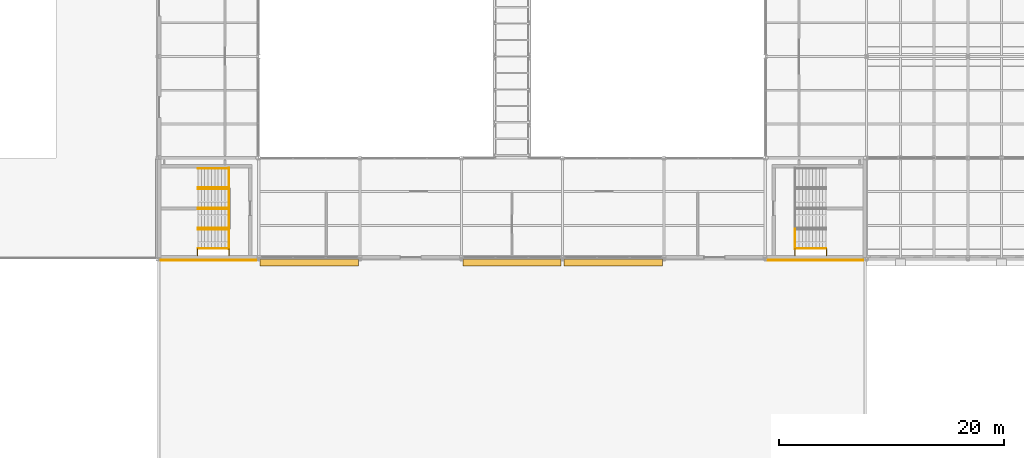
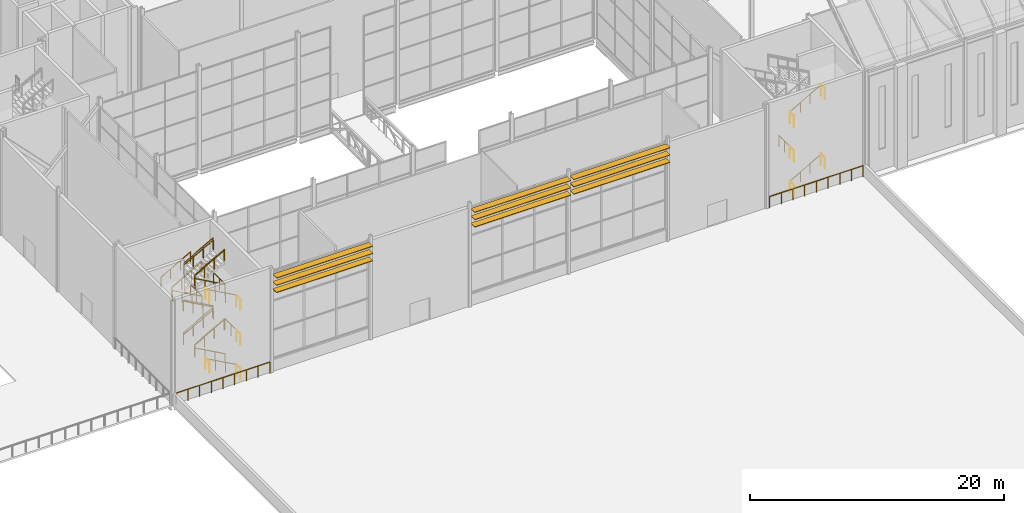
# One storey, part 105 of 111: 36 railings, 9 shading devices.
"""IFC4 building model written with IfcOpenShell, lengths in metres."""

from ifc_helpers import new_model, si_unit, direction, frame, origin, origin_2d, place, context, subcontext, project, spatial, rectangle, circle, extrude, material, layer, layer_set, type_object, element, save


model = new_model("IFC4")

# Units and contexts
model_context = context("Model", 3, precision=1e-05, world=origin(), true_north=direction((0.0, 1.0)))
body_context = subcontext(model_context, "Body", "Model", "MODEL_VIEW")
ifc_project = project(units=[si_unit("LENGTHUNIT", "METRE"), si_unit("AREAUNIT", "SQUARE_METRE"), si_unit("VOLUMEUNIT", "CUBIC_METRE"), si_unit("PLANEANGLEUNIT", "RADIAN"), si_unit("MASSUNIT", "GRAM", prefix="KILO")], contexts=[model_context])

# Site, building, storey
site_placement = place(None, origin())
site = spatial("IfcSite", under=ifc_project, at=site_placement, CompositionType="ELEMENT")
building_placement = place(site_placement, origin())
building = spatial("IfcBuilding", under=site, at=building_placement, Name="Shorebreak Coast Museum", CompositionType="ELEMENT")
storey_placement = place(building_placement, frame((0.0, 0.0, 16.0)))
storey = spatial("IfcBuildingStorey", under=building, at=storey_placement, Name="L03", CompositionType="ELEMENT", Elevation=16.0)

# Shading devices
ifc_material_1 = material(Name="Aluminium", Category="aluminium")
ifc_layer = layer(ifc_material_1, 0.06005859375)
ifc_layer_set = layer_set([ifc_layer], Name="Aluminium")
shading_device_type = type_object("IfcShadingDeviceType", Name="Aluminium louvre blade 60 x 600", PredefinedType="USERDEFINED", material=ifc_layer_set)
for number, where, z_axis, x_axis, name in (
    (1, (67.5, 53.699951171875, 9.29296875), (0.0, 0.0, 1.0), (1.0, 0.0, 0.0), "Aluminium louvre L03 S1"),
    (2, (67.5, 53.699951171875, 8.593017578125), (0.0, 0.0, 1.0), (1.0, 0.0, 0.0), "Aluminium louvre L03 S2"),
    (3, (67.5, 53.699951171875, 7.89306640625), (0.0, 0.0, 1.0), (1.0, 0.0, 0.0), "Aluminium louvre L03 S3"),
    (4, (85.5, 53.699951171875, 9.29296875), (0.0, 0.0, 1.0), (1.0, 0.0, 0.0), "Aluminium louvre L03 S4"),
    (5, (85.5, 53.699951171875, 8.593017578125), (0.0, 0.0, 1.0), (1.0, 0.0, 0.0), "Aluminium louvre L03 S5"),
    (6, (85.5, 53.699951171875, 7.89306640625), (0.0, 0.0, 1.0), (1.0, 0.0, 0.0), "Aluminium louvre L03 S6"),
    (7, (94.5, 53.699951171875, 9.29296875), (0.0, 0.0, 1.0), (1.0, 0.0, 0.0), "Aluminium louvre L03 S7"),
    (8, (94.5, 53.699951171875, 8.593017578125), (0.0, 0.0, 1.0), (1.0, 0.0, 0.0), "Aluminium louvre L03 S8"),
    (9, (94.5, 53.699951171875, 7.89306640625), (0.0, 0.0, 1.0), (1.0, 0.0, 0.0), "Aluminium louvre L03 S9"),
):
    element("IfcShadingDevice", number, at=place(storey_placement, frame(where, z_axis=z_axis, x_axis=x_axis)), inside=storey, type_object=shading_device_type, Name=name, ObjectType="LOUVRE", PredefinedType="USERDEFINED", context=body_context, shape_type="SweptSolid", body=[
        extrude(rectangle(XDim=8.75, YDim=0.60009765625, at=origin_2d()), origin(), (0.0, 0.0, 1.0), 0.06005859375),
    ])

# Railings
ifc_material_2 = material(Name="Roof garden guard 1100")
railing_type_1 = type_object("IfcRailingType", Name="Roof garden guard 1100", PredefinedType="GUARDRAIL", material=ifc_material_2)
for number, where, name in (
    (10, (108.199951171875, 53.89990234375, 0.0), "Roof garden guard SDECK 2"),
    (11, (54.300048828125, 53.89990234375, 0.0), "Roof garden guard SDECK 3"),
):
    element("IfcRailing", number, at=place(storey_placement, frame(where)), inside=storey, type_object=railing_type_1, Name=name, PredefinedType="GUARDRAIL", context=body_context, shape_type="SweptSolid", body=[
        extrude(circle(Radius=0.02490234375, at=origin_2d()), frame((0.0, 0.0, 1.0751953125), z_axis=(1.0, 0.0, 0.0), x_axis=(0.0, 1.0, 0.0)), (0.0, 0.0, 1.0), 8.5),
        extrude(circle(Radius=0.02001953125, at=origin_2d()), origin(), (0.0, 0.0, 1.0), 1.050048828125),
        extrude(circle(Radius=0.02001953125, at=origin_2d()), frame((1.0625, 0.0, 0.0)), (0.0, 0.0, 1.0), 1.050048828125),
        extrude(circle(Radius=0.02001953125, at=origin_2d()), frame((2.125, 0.0, 0.0)), (0.0, 0.0, 1.0), 1.050048828125),
        extrude(circle(Radius=0.02001953125, at=origin_2d()), frame((3.1875, 0.0, 0.0)), (0.0, 0.0, 1.0), 1.050048828125),
        extrude(circle(Radius=0.02001953125, at=origin_2d()), frame((4.25, 0.0, 0.0)), (0.0, 0.0, 1.0), 1.050048828125),
        extrude(circle(Radius=0.02001953125, at=origin_2d()), frame((5.3125, 0.0, 0.0)), (0.0, 0.0, 1.0), 1.050048828125),
        extrude(circle(Radius=0.02001953125, at=origin_2d()), frame((6.375, 0.0, 0.0)), (0.0, 0.0, 1.0), 1.050048828125),
        extrude(circle(Radius=0.02001953125, at=origin_2d()), frame((7.4375, 0.0, 0.0)), (0.0, 0.0, 1.0), 1.050048828125),
        extrude(circle(Radius=0.02001953125, at=origin_2d()), frame((8.5, 0.0, 0.0)), (0.0, 0.0, 1.0), 1.050048828125),
    ])
ifc_material_3 = material(Name="Steel Grade 300", Category="steel")
railing_type_2 = type_object("IfcRailingType", Name="Stair guard 1100", PredefinedType="GUARDRAIL", material=ifc_material_3)
for number, where, name in (
    (12, (60.35009765625, 54.89990234375, 3.333251953125), "Guard ST01 L03 landing mid1"),
    (13, (60.35009765625, 60.300048828125, 3.333251953125), "Guard ST01 L03 landing mid1"),
):
    element("IfcRailing", number, at=place(storey_placement, frame(where)), inside=storey, type_object=railing_type_2, Name=name, PredefinedType="GUARDRAIL", context=body_context, shape_type="SweptSolid", body=[
        extrude(circle(Radius=0.02490234375, at=origin_2d()), frame((0.0, 0.0, 1.0751953125), z_axis=(0.0, 1.0, 0.0), x_axis=(-1.0, 0.0, 0.0)), (0.0, 0.0, 1.0), 1.800048828125),
        extrude(circle(Radius=0.02001953125, at=origin_2d()), origin(), (0.0, 0.0, 1.0), 1.050048828125),
        extrude(circle(Radius=0.02001953125, at=origin_2d()), frame((0.0, 0.89990234375, 0.0)), (0.0, 0.0, 1.0), 1.050048828125),
        extrude(circle(Radius=0.02001953125, at=origin_2d()), frame((0.0, 1.800048828125, 0.0)), (0.0, 0.0, 1.0), 1.050048828125),
    ])
railing_1_placement = place(storey_placement, frame((60.35009765625, 56.699951171875, 6.666748046875)))
element("IfcRailing", 14, at=railing_1_placement, inside=storey, type_object=railing_type_2, Name="Guard ST01 L03 landing mid2", PredefinedType="GUARDRAIL", context=body_context, shape_type="SweptSolid", body=[
    extrude(circle(Radius=0.02490234375, at=origin_2d()), frame((0.0, 0.0, 1.0751953125), z_axis=(0.0, 1.0, 0.0), x_axis=(-1.0, 0.0, 0.0)), (0.0, 0.0, 1.0), 3.60009765625),
    extrude(circle(Radius=0.02001953125, at=origin_2d()), origin(), (0.0, 0.0, 1.0), 1.050048828125),
    extrude(circle(Radius=0.02001953125, at=origin_2d()), frame((0.0, 0.89990234375, 0.0)), (0.0, 0.0, 1.0), 1.050048828125),
    extrude(circle(Radius=0.02001953125, at=origin_2d()), frame((0.0, 1.800048828125, 0.0)), (0.0, 0.0, 1.0), 1.050048828125),
    extrude(circle(Radius=0.02001953125, at=origin_2d()), frame((0.0, 2.7001953125, 0.0)), (0.0, 0.0, 1.0), 1.050048828125),
    extrude(circle(Radius=0.02001953125, at=origin_2d()), frame((0.0, 3.60009765625, 0.0)), (0.0, 0.0, 1.0), 1.050048828125),
])
for number, where, name in (
    (15, (60.35009765625, 54.300048828125, 0.0), "Guard ST01 L03 landing strip"),
    (16, (60.35009765625, 54.300048828125, 3.333251953125), "Guard ST01 L03 landing strip"),
    (17, (60.35009765625, 54.300048828125, 6.666748046875), "Guard ST01 L03 landing strip"),
    (18, (57.550048828125, 54.300048828125, 1.666748046875), "Guard ST01 L03 landing strip"),
    (19, (57.550048828125, 54.300048828125, 8.333251953125), "Guard ST01 L03 landing strip"),
):
    element("IfcRailing", number, at=place(storey_placement, frame(where)), inside=storey, type_object=railing_type_2, Name=name, PredefinedType="GUARDRAIL", context=body_context, shape_type="SweptSolid", body=[
        extrude(circle(Radius=0.02490234375, at=origin_2d()), frame((0.0, 0.0, 1.0751953125), z_axis=(0.0, 1.0, 0.0), x_axis=(-1.0, 0.0, 0.0)), (0.0, 0.0, 1.0), 0.599853515625),
        extrude(circle(Radius=0.02001953125, at=origin_2d()), origin(), (0.0, 0.0, 1.0), 1.050048828125),
        extrude(circle(Radius=0.02001953125, at=origin_2d()), frame((0.0, 0.599853515625, 0.0)), (0.0, 0.0, 1.0), 1.050048828125),
    ])
for number, where, name in (
    (20, (57.60009765625, 56.699951171875, 1.833251953125), "Guard ST01-L03 well 1"),
    (21, (57.60009765625, 60.300048828125, 5.166748046875), "Guard ST01-L03 well 2"),
    (22, (57.60009765625, 56.699951171875, 8.5), "Guard ST01-L03 well 3"),
    (23, (57.60009765625, 58.5, 1.833251953125), "Guard ST01-L03 side 1"),
):
    element("IfcRailing", number, at=place(storey_placement, frame(where)), inside=storey, type_object=railing_type_2, Name=name, PredefinedType="GUARDRAIL", context=body_context, shape_type="SweptSolid", body=[
        extrude(circle(Radius=0.02490234375, at=origin_2d()), frame((0.0, 0.0, 1.0751953125), z_axis=(0.87415354758, 0.0, 0.485649642493), x_axis=(0.0, 1.0, 0.0)), (0.0, 0.0, 1.0), 3.088623046875),
        extrude(circle(Radius=0.02001953125, at=origin_2d()), origin(), (0.0, 0.0, 1.0), 1.050048828125),
        extrude(circle(Radius=0.02001953125, at=origin_2d()), frame((0.89990234375, 0.0, 0.5)), (0.0, 0.0, 1.0), 1.050048828125),
        extrude(circle(Radius=0.02001953125, at=origin_2d()), frame((1.800048828125, 0.0, 1.0)), (0.0, 0.0, 1.0), 1.050048828125),
        extrude(circle(Radius=0.02001953125, at=origin_2d()), frame((2.699951171875, 0.0, 1.5)), (0.0, 0.0, 1.0), 1.050048828125),
    ])
railing_2_placement = place(storey_placement, frame((60.300048828125, 58.5, 3.5)))
element("IfcRailing", 24, at=railing_2_placement, inside=storey, type_object=railing_type_2, Name="Guard ST01-L03 side 2", PredefinedType="GUARDRAIL", context=body_context, shape_type="SweptSolid", body=[
    extrude(circle(Radius=0.02490234375, at=origin_2d()), frame((0.0, 0.0, 1.0751953125), z_axis=(-0.87415354758, 0.0, 0.485649642493), x_axis=(0.0, -1.0, 0.0)), (0.0, 0.0, 1.0), 3.088623046875),
    extrude(circle(Radius=0.02001953125, at=origin_2d()), origin(), (0.0, 0.0, 1.0), 1.050048828125),
    extrude(circle(Radius=0.02001953125, at=origin_2d()), frame((-0.89990234375, 0.0, 0.5)), (0.0, 0.0, 1.0), 1.050048828125),
    extrude(circle(Radius=0.02001953125, at=origin_2d()), frame((-1.800048828125, 0.0, 1.0)), (0.0, 0.0, 1.0), 1.050048828125),
    extrude(circle(Radius=0.02001953125, at=origin_2d()), frame((-2.699951171875, 0.0, 1.5)), (0.0, 0.0, 1.0), 1.050048828125),
])
railing_3_placement = place(storey_placement, frame((57.60009765625, 58.5, 8.5)))
element("IfcRailing", 25, at=railing_3_placement, inside=storey, type_object=railing_type_2, Name="Guard ST01-L03 side 3", PredefinedType="GUARDRAIL", context=body_context, shape_type="SweptSolid", body=[
    extrude(circle(Radius=0.02490234375, at=origin_2d()), frame((0.0, 0.0, 1.0751953125), z_axis=(0.87415354758, 0.0, 0.485649642493), x_axis=(0.0, 1.0, 0.0)), (0.0, 0.0, 1.0), 3.088623046875),
    extrude(circle(Radius=0.02001953125, at=origin_2d()), origin(), (0.0, 0.0, 1.0), 1.050048828125),
    extrude(circle(Radius=0.02001953125, at=origin_2d()), frame((0.89990234375, 0.0, 0.5)), (0.0, 0.0, 1.0), 1.050048828125),
    extrude(circle(Radius=0.02001953125, at=origin_2d()), frame((1.800048828125, 0.0, 1.0)), (0.0, 0.0, 1.0), 1.050048828125),
    extrude(circle(Radius=0.02001953125, at=origin_2d()), frame((2.699951171875, 0.0, 1.5)), (0.0, 0.0, 1.0), 1.050048828125),
])
railing_4_placement = place(storey_placement, frame((110.64990234375, 54.89990234375, 3.333251953125)))
element("IfcRailing", 26, at=railing_4_placement, inside=storey, type_object=railing_type_2, Name="Guard ST02 L03 landing mid1", PredefinedType="GUARDRAIL", context=body_context, shape_type="SweptSolid", body=[
    extrude(circle(Radius=0.02490234375, at=origin_2d()), frame((0.0, 0.0, 1.0751953125), z_axis=(0.0, 1.0, 0.0), x_axis=(-1.0, 0.0, 0.0)), (0.0, 0.0, 1.0), 1.800048828125),
    extrude(circle(Radius=0.02001953125, at=origin_2d()), origin(), (0.0, 0.0, 1.0), 1.050048828125),
    extrude(circle(Radius=0.02001953125, at=origin_2d()), frame((0.0, 0.89990234375, 0.0)), (0.0, 0.0, 1.0), 1.050048828125),
    extrude(circle(Radius=0.02001953125, at=origin_2d()), frame((0.0, 1.800048828125, 0.0)), (0.0, 0.0, 1.0), 1.050048828125),
])
for number, where, name in (
    (27, (110.64990234375, 54.300048828125, 0.0), "Guard ST02 L03 landing strip"),
    (28, (110.64990234375, 54.300048828125, 3.333251953125), "Guard ST02 L03 landing strip"),
    (29, (110.64990234375, 54.300048828125, 6.666748046875), "Guard ST02 L03 landing strip"),
    (30, (113.449951171875, 54.300048828125, 1.666748046875), "Guard ST02 L03 landing strip"),
    (31, (113.449951171875, 54.300048828125, 8.333251953125), "Guard ST02 L03 landing strip"),
):
    element("IfcRailing", number, at=place(storey_placement, frame(where)), inside=storey, type_object=railing_type_2, Name=name, PredefinedType="GUARDRAIL", context=body_context, shape_type="SweptSolid", body=[
        extrude(circle(Radius=0.02490234375, at=origin_2d()), frame((0.0, 0.0, 1.0751953125), z_axis=(0.0, 1.0, 0.0), x_axis=(-1.0, 0.0, 0.0)), (0.0, 0.0, 1.0), 0.599853515625),
        extrude(circle(Radius=0.02001953125, at=origin_2d()), origin(), (0.0, 0.0, 1.0), 1.050048828125),
        extrude(circle(Radius=0.02001953125, at=origin_2d()), frame((0.0, 0.599853515625, 0.0)), (0.0, 0.0, 1.0), 1.050048828125),
    ])
ifc_material_4 = material(Name="Steel Grade 300", Category="steel")
railing_type_3 = type_object("IfcRailingType", Name="Stair handrail 950", PredefinedType="HANDRAIL", material=ifc_material_4)
for number, where, name in (
    (32, (60.300048828125, 54.9599609375, 0.166748046875), "Handrail ST01-L03 flight 1a"),
    (33, (60.300048828125, 56.639892578125, 0.166748046875), "Handrail ST01-L03 flight 1b"),
):
    element("IfcRailing", number, at=place(storey_placement, frame(where)), inside=storey, type_object=railing_type_3, Name=name, PredefinedType="HANDRAIL", context=body_context, shape_type="SweptSolid", body=[
        extrude(circle(Radius=0.02490234375, at=origin_2d()), frame((0.0, 0.0, 0.9248046875), z_axis=(-0.87415354758, 0.0, 0.485649642493), x_axis=(0.0, -1.0, 0.0)), (0.0, 0.0, 1.0), 3.088623046875),
        extrude(circle(Radius=0.02001953125, at=origin_2d()), origin(), (0.0, 0.0, 1.0), 0.89990234375),
        extrude(circle(Radius=0.02001953125, at=origin_2d()), frame((-0.89990234375, 0.0, 0.5)), (0.0, 0.0, 1.0), 0.89990234375),
        extrude(circle(Radius=0.02001953125, at=origin_2d()), frame((-1.800048828125, 0.0, 1.0)), (0.0, 0.0, 1.0), 0.89990234375),
        extrude(circle(Radius=0.02001953125, at=origin_2d()), frame((-2.699951171875, 0.0, 1.5)), (0.0, 0.0, 1.0), 0.89990234375),
    ])
for number, where, name in (
    (34, (57.60009765625, 56.760009765625, 1.833251953125), "Handrail ST01-L03 flight 2a"),
    (35, (57.60009765625, 58.43994140625, 1.833251953125), "Handrail ST01-L03 flight 2b"),
):
    element("IfcRailing", number, at=place(storey_placement, frame(where)), inside=storey, type_object=railing_type_3, Name=name, PredefinedType="HANDRAIL", context=body_context, shape_type="SweptSolid", body=[
        extrude(circle(Radius=0.02490234375, at=origin_2d()), frame((0.0, 0.0, 0.9248046875), z_axis=(0.87415354758, 0.0, 0.485649642493), x_axis=(0.0, 1.0, 0.0)), (0.0, 0.0, 1.0), 3.088623046875),
        extrude(circle(Radius=0.02001953125, at=origin_2d()), origin(), (0.0, 0.0, 1.0), 0.89990234375),
        extrude(circle(Radius=0.02001953125, at=origin_2d()), frame((0.89990234375, 0.0, 0.5)), (0.0, 0.0, 1.0), 0.89990234375),
        extrude(circle(Radius=0.02001953125, at=origin_2d()), frame((1.800048828125, 0.0, 1.0)), (0.0, 0.0, 1.0), 0.89990234375),
        extrude(circle(Radius=0.02001953125, at=origin_2d()), frame((2.699951171875, 0.0, 1.5)), (0.0, 0.0, 1.0), 0.89990234375),
    ])
for number, where, name in (
    (36, (60.300048828125, 58.56005859375, 3.5), "Handrail ST01-L03 flight 3a"),
    (37, (60.300048828125, 60.239990234375, 3.5), "Handrail ST01-L03 flight 3b"),
):
    element("IfcRailing", number, at=place(storey_placement, frame(where)), inside=storey, type_object=railing_type_3, Name=name, PredefinedType="HANDRAIL", context=body_context, shape_type="SweptSolid", body=[
        extrude(circle(Radius=0.02490234375, at=origin_2d()), frame((0.0, 0.0, 0.9248046875), z_axis=(-0.87415354758, 0.0, 0.485649642493), x_axis=(0.0, -1.0, 0.0)), (0.0, 0.0, 1.0), 3.088623046875),
        extrude(circle(Radius=0.02001953125, at=origin_2d()), origin(), (0.0, 0.0, 1.0), 0.89990234375),
        extrude(circle(Radius=0.02001953125, at=origin_2d()), frame((-0.89990234375, 0.0, 0.5)), (0.0, 0.0, 1.0), 0.89990234375),
        extrude(circle(Radius=0.02001953125, at=origin_2d()), frame((-1.800048828125, 0.0, 1.0)), (0.0, 0.0, 1.0), 0.89990234375),
        extrude(circle(Radius=0.02001953125, at=origin_2d()), frame((-2.699951171875, 0.0, 1.5)), (0.0, 0.0, 1.0), 0.89990234375),
    ])
for number, where, name in (
    (38, (57.60009765625, 60.360107421875, 5.166748046875), "Handrail ST01-L03 flight 4a"),
    (39, (57.60009765625, 62.0400390625, 5.166748046875), "Handrail ST01-L03 flight 4b"),
):
    element("IfcRailing", number, at=place(storey_placement, frame(where)), inside=storey, type_object=railing_type_3, Name=name, PredefinedType="HANDRAIL", context=body_context, shape_type="SweptSolid", body=[
        extrude(circle(Radius=0.02490234375, at=origin_2d()), frame((0.0, 0.0, 0.9248046875), z_axis=(0.87415354758, 0.0, 0.485649642493), x_axis=(0.0, 1.0, 0.0)), (0.0, 0.0, 1.0), 3.088623046875),
        extrude(circle(Radius=0.02001953125, at=origin_2d()), origin(), (0.0, 0.0, 1.0), 0.89990234375),
        extrude(circle(Radius=0.02001953125, at=origin_2d()), frame((0.89990234375, 0.0, 0.5)), (0.0, 0.0, 1.0), 0.89990234375),
        extrude(circle(Radius=0.02001953125, at=origin_2d()), frame((1.800048828125, 0.0, 1.0)), (0.0, 0.0, 1.0), 0.89990234375),
        extrude(circle(Radius=0.02001953125, at=origin_2d()), frame((2.699951171875, 0.0, 1.5)), (0.0, 0.0, 1.0), 0.89990234375),
    ])
for number, where, name in (
    (40, (60.300048828125, 54.9599609375, 6.833251953125), "Handrail ST01-L03 flight 5a"),
    (41, (60.300048828125, 56.639892578125, 6.833251953125), "Handrail ST01-L03 flight 5b"),
):
    element("IfcRailing", number, at=place(storey_placement, frame(where)), inside=storey, type_object=railing_type_3, Name=name, PredefinedType="HANDRAIL", context=body_context, shape_type="SweptSolid", body=[
        extrude(circle(Radius=0.02490234375, at=origin_2d()), frame((0.0, 0.0, 0.9248046875), z_axis=(-0.87415354758, 0.0, 0.485649642493), x_axis=(0.0, -1.0, 0.0)), (0.0, 0.0, 1.0), 3.088623046875),
        extrude(circle(Radius=0.02001953125, at=origin_2d()), origin(), (0.0, 0.0, 1.0), 0.89990234375),
        extrude(circle(Radius=0.02001953125, at=origin_2d()), frame((-0.89990234375, 0.0, 0.5)), (0.0, 0.0, 1.0), 0.89990234375),
        extrude(circle(Radius=0.02001953125, at=origin_2d()), frame((-1.800048828125, 0.0, 1.0)), (0.0, 0.0, 1.0), 0.89990234375),
        extrude(circle(Radius=0.02001953125, at=origin_2d()), frame((-2.699951171875, 0.0, 1.5)), (0.0, 0.0, 1.0), 0.89990234375),
    ])
for number, where, name in (
    (42, (57.60009765625, 56.760009765625, 8.5), "Handrail ST01-L03 flight 6a"),
    (43, (57.60009765625, 58.43994140625, 8.5), "Handrail ST01-L03 flight 6b"),
    (44, (110.699951171875, 54.9599609375, 0.166748046875), "Handrail ST02-L03 flight 1a"),
    (45, (110.699951171875, 54.9599609375, 6.833251953125), "Handrail ST02-L03 flight 5a"),
):
    element("IfcRailing", number, at=place(storey_placement, frame(where)), inside=storey, type_object=railing_type_3, Name=name, PredefinedType="HANDRAIL", context=body_context, shape_type="SweptSolid", body=[
        extrude(circle(Radius=0.02490234375, at=origin_2d()), frame((0.0, 0.0, 0.9248046875), z_axis=(0.87415354758, 0.0, 0.485649642493), x_axis=(0.0, 1.0, 0.0)), (0.0, 0.0, 1.0), 3.088623046875),
        extrude(circle(Radius=0.02001953125, at=origin_2d()), origin(), (0.0, 0.0, 1.0), 0.89990234375),
        extrude(circle(Radius=0.02001953125, at=origin_2d()), frame((0.89990234375, 0.0, 0.5)), (0.0, 0.0, 1.0), 0.89990234375),
        extrude(circle(Radius=0.02001953125, at=origin_2d()), frame((1.800048828125, 0.0, 1.0)), (0.0, 0.0, 1.0), 0.89990234375),
        extrude(circle(Radius=0.02001953125, at=origin_2d()), frame((2.699951171875, 0.0, 1.5)), (0.0, 0.0, 1.0), 0.89990234375),
    ])

save(model, "model.ifc")
